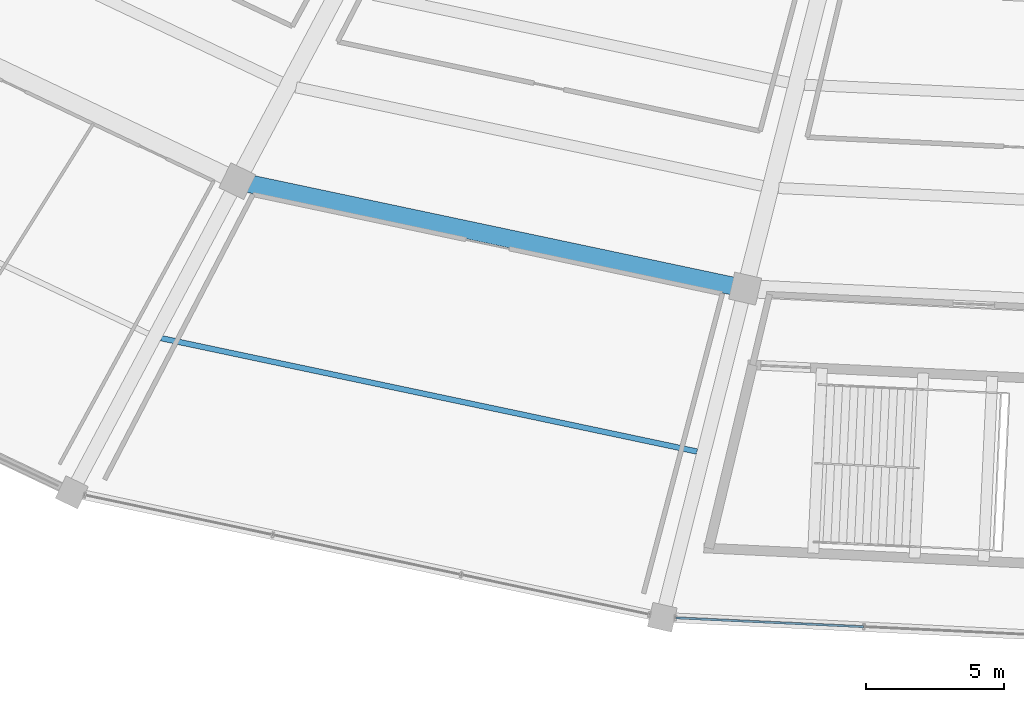
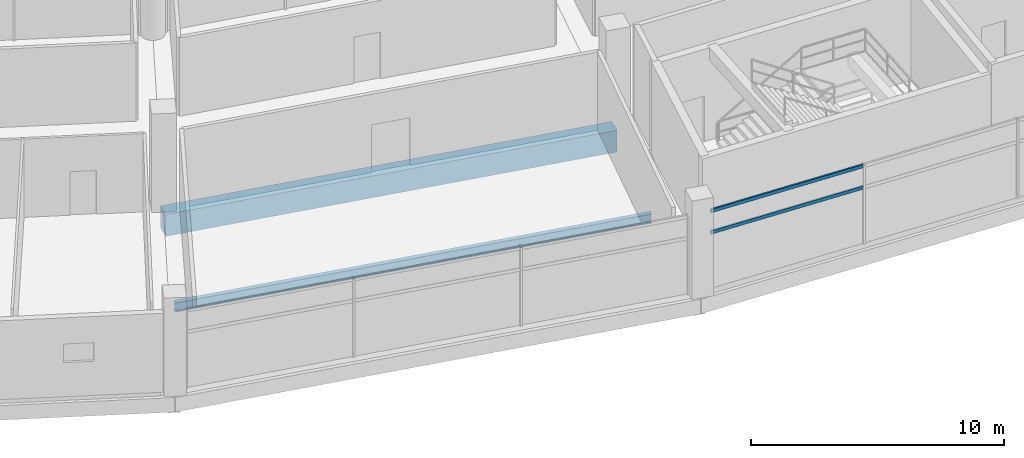
# One storey, part 16 of 171: 2 beams, 2 members, 1 element without a shape of its own.
"""IFC4 building model written with IfcOpenShell, lengths in metres."""

from ifc_helpers import new_model, si_unit, direction, frame, origin, origin_2d, place, context, subcontext, project, spatial, rectangle, hollow_rectangle, i_section, extrude, material, layer, layer_set, material_profile, profile_set, type_object, element, aggregate, save


model = new_model("IFC4")

# Units and contexts
model_context = context("Model", 3, precision=1e-05, world=origin(), true_north=direction((0.0, 1.0)))
body_context = subcontext(model_context, "Body", "Model", "MODEL_VIEW")
ifc_project = project(units=[si_unit("LENGTHUNIT", "METRE"), si_unit("AREAUNIT", "SQUARE_METRE"), si_unit("VOLUMEUNIT", "CUBIC_METRE"), si_unit("PLANEANGLEUNIT", "RADIAN"), si_unit("MASSUNIT", "GRAM", prefix="KILO")], contexts=[model_context])

# Site, building, storey
site_placement = place(None, origin())
site = spatial("IfcSite", under=ifc_project, at=site_placement, CompositionType="ELEMENT")
building_placement = place(site_placement, origin())
building = spatial("IfcBuilding", under=site, at=building_placement, Name="Kazemori Nagisa Stadium", CompositionType="ELEMENT")
storey_placement = place(building_placement, frame((0.0, 0.0, 15.639892578125)))
storey = spatial("IfcBuildingStorey", under=building, at=storey_placement, Name="L03", CompositionType="ELEMENT", Elevation=15.639892578125)

# Beams
ifc_material_1 = material(Name="Concrete C40/50 (Fc42)", Category="concrete")
ifc_material_profile_1 = material_profile(ifc_material_1, rectangle(XDim=0.64990234375, YDim=1.050048828125, at=origin_2d()), Name="RC-BM-650x1050")
ifc_profile_set_1 = profile_set([ifc_material_profile_1], Name="Concrete C40/50 (Fc42)")
beam_type_1 = type_object("IfcBeamType", Name="Beam_BG-RC650X1050", PredefinedType="BEAM", material=ifc_profile_set_1)
beam_1_placement = place(storey_placement, frame((86.18798828125, 32.80078125, -0.784912109375), z_axis=(0.978345149833, -0.206980114499, 0.0), x_axis=(0.206980114499, 0.978345149833, 0.0)))
element("IfcBeam", 1, at=beam_1_placement, inside=storey, type_object=beam_type_1, Name="Ring girder BG-RC650X1050 L03 R2-20", PredefinedType="BEAM", context=body_context, shape_type="SweptSolid", body=[
    extrude(rectangle(XDim=0.64990234375, YDim=1.050048828125, at=origin_2d()), origin(), (0.0, 0.0, 1.0), 18.791259765625),
])
ifc_material_2 = material(Name="Steel SN490B", Category="steel")
ifc_material_profile_2 = material_profile(ifc_material_2, i_section(OverallWidth=0.199951171875, OverallDepth=0.449951171875, WebThickness=0.009033203125, FlangeThickness=0.013916015625, FilletRadius=0.012939453125, at=origin_2d()), Name="H-450x200x9x14")
ifc_profile_set_2 = profile_set([ifc_material_profile_2], Name="Steel SN490B")
beam_type_2 = type_object("IfcBeamType", Name="Beam_BJ-H450", PredefinedType="JOIST", material=ifc_profile_set_2)
beam_2_placement = place(storey_placement, frame((83.431396484375, 27.117431640625, -0.48486328125), z_axis=(0.978345532316, -0.206978306584, 0.0), x_axis=(0.206978306584, 0.978345532316, 0.0)))
element("IfcBeam", 2, at=beam_2_placement, inside=storey, type_object=beam_type_2, Name="Outer bay joist BJ-H450 L03 B20", PredefinedType="JOIST", context=body_context, shape_type="SweptSolid", body=[
    extrude(i_section(OverallWidth=0.199951171875, OverallDepth=0.449951171875, WebThickness=0.009033203125, FlangeThickness=0.013916015625, FilletRadius=0.012939453125, at=origin_2d()), origin(), (0.0, 0.0, 1.0), 19.83056640625),
])

# Curtain wall, members
ifc_material_3 = material(Name="Anodised aluminium 6063-T5", Category="aluminium")
ifc_layer = layer(ifc_material_3, 0.2099609375, Name="Anodised aluminium 6063-T5", Category="aluminium")
ifc_layer_set = layer_set([ifc_layer], Name="Anodised aluminium 6063-T5")
curtain_wall_type = type_object("IfcCurtainWallType", Name="CW_L03R3_103", PredefinedType="USERDEFINED", material=ifc_layer_set)
curtain_wall_placement = place(storey_placement, origin())
curtain_wall = element("IfcCurtainWall", 3, at=curtain_wall_placement, inside=storey, type_object=curtain_wall_type, Name="Unitised curtain wall CW-L03R3-103 L03", ObjectType="UNITISED CURTAIN WALL", PredefinedType="USERDEFINED")
ifc_material_4 = material(Name="Aluminium 6063-T5 anodised", Category="aluminium")
ifc_material_profile_3 = material_profile(ifc_material_4, hollow_rectangle(XDim=0.080078125, YDim=0.159912109375, WallThickness=0.00390625, at=origin_2d()), Name="ALU-TRAN-80x160x4")
ifc_profile_set_3 = profile_set([ifc_material_profile_3], Name="Aluminium 6063-T5 anodised")
member_type = type_object("IfcMemberType", Name="Transom_T02", PredefinedType="USERDEFINED", material=ifc_profile_set_3)
member_1_placement = place(storey_placement, frame((102.066650390625, 16.98974609375, 2.705322265625), z_axis=(0.998884581669, -0.047218561007, 0.0), x_axis=(0.047218561007, 0.998884581669, 0.0)))
member_1 = element("IfcMember", 4, at=member_1_placement, type_object=member_type, Name="Curtain wall transom CW-L03R3-103-T1-mid", ObjectType="TRANSOM", PredefinedType="USERDEFINED", context=body_context, shape_type="SweptSolid", body=[
    extrude(hollow_rectangle(XDim=0.080078125, YDim=0.159912109375, WallThickness=0.00390625, at=origin_2d()), origin(), (0.0, 0.0, 1.0), 6.7939453125),
])
member_2_placement = place(storey_placement, frame((102.066650390625, 16.98974609375, 3.739990234375), z_axis=(0.998884581669, -0.047218561007, 0.0), x_axis=(0.047218561007, 0.998884581669, 0.0)))
member_2 = element("IfcMember", 5, at=member_2_placement, type_object=member_type, Name="Curtain wall transom CW-L03R3-103-T1-head", ObjectType="TRANSOM", PredefinedType="USERDEFINED", context=body_context, shape_type="SweptSolid", body=[
    extrude(hollow_rectangle(XDim=0.080078125, YDim=0.159912109375, WallThickness=0.00390625, at=origin_2d()), origin(), (0.0, 0.0, 1.0), 6.7939453125),
])
aggregate(curtain_wall, [member_1, member_2])

save(model, "model.ifc")
